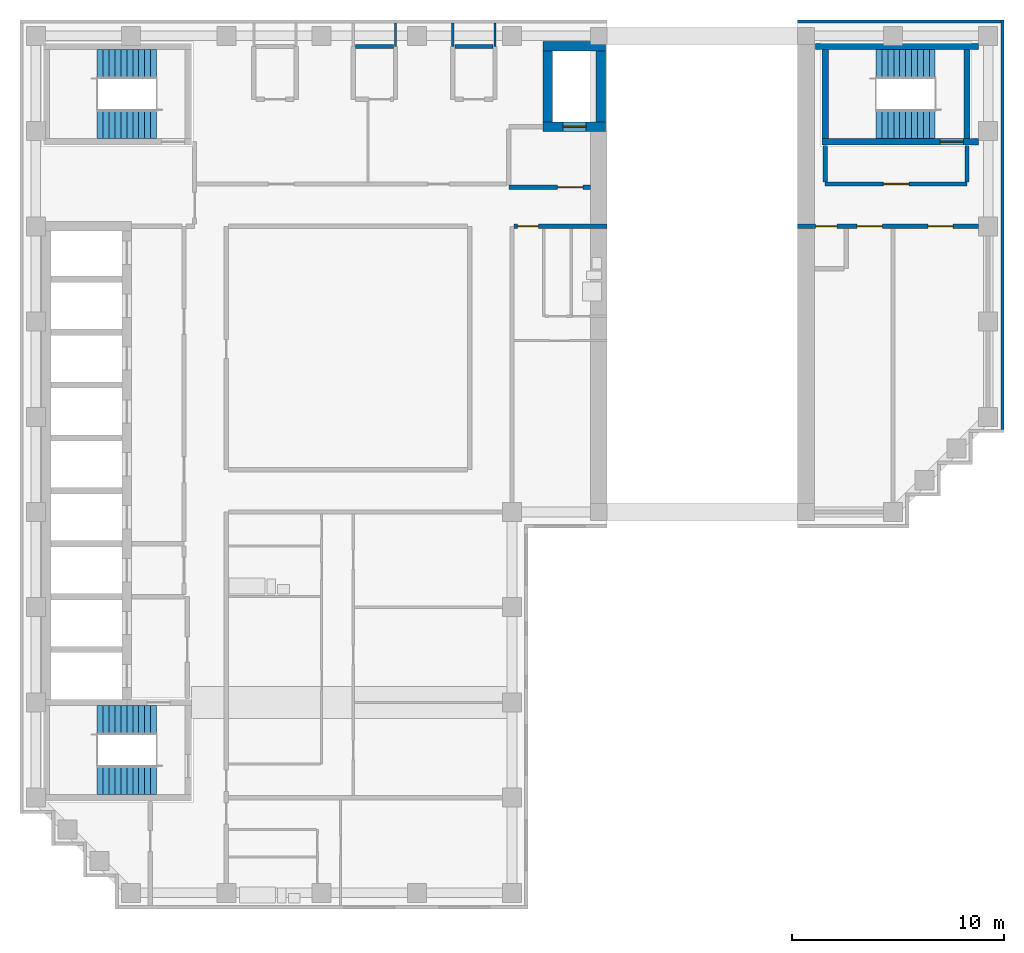
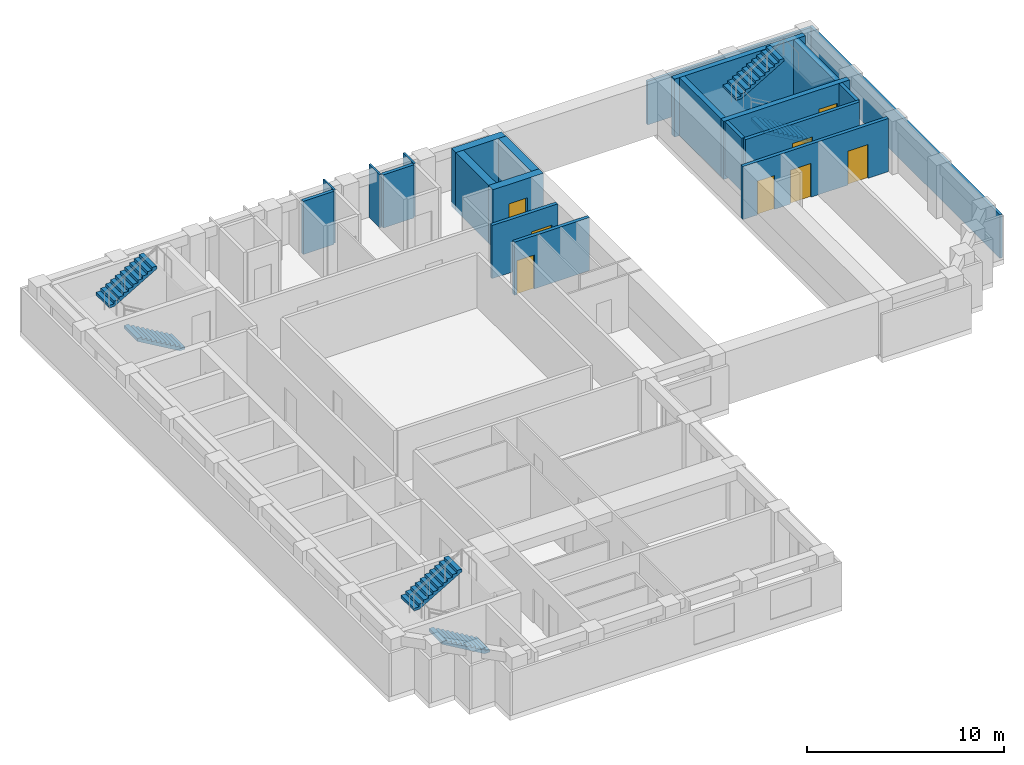
# One storey, part 5 of 7: 21 walls, 8 doors, 6 stair flights, 8 openings, 3 elements without a shape of their own.
"""IFC4 building model written with IfcOpenShell, lengths in metres."""

from ifc_helpers import new_model, si_unit, direction, frame, frame_2d, origin, place, context, subcontext, project, spatial, polyline, rectangle, outline, extrude, material, layer, layer_set, type_object, element, fill, aggregate, save


model = new_model("IFC4")

# Units and contexts
model_context = context("Model", 3, precision=1e-05, world=origin(), true_north=direction((0.0, 1.0)))
body_context = subcontext(model_context, "Body", "Model", "MODEL_VIEW")
ifc_project = project(units=[si_unit("LENGTHUNIT", "METRE"), si_unit("AREAUNIT", "SQUARE_METRE"), si_unit("VOLUMEUNIT", "CUBIC_METRE"), si_unit("PLANEANGLEUNIT", "RADIAN"), si_unit("MASSUNIT", "GRAM", prefix="KILO")], contexts=[model_context])

# Site, building, storey
site_placement = place(None, origin())
site = spatial("IfcSite", under=ifc_project, at=site_placement, CompositionType="ELEMENT")
building_placement = place(site_placement, origin())
building = spatial("IfcBuilding", under=site, at=building_placement, Name="Firuza Court", CompositionType="ELEMENT")
storey_placement = place(building_placement, frame((0.0, 0.0, 247.39990234375)))
storey = spatial("IfcBuildingStorey", under=building, at=storey_placement, Name="L64", CompositionType="ELEMENT", Elevation=247.39990234375)

# Wall
ifc_material_1 = material(Name="Concrete C50/60", Category="concrete")
ifc_layer_1 = layer(ifc_material_1, 0.300048828125)
ifc_layer_set_1 = layer_set([ifc_layer_1], Name="Concrete C50/60")
wall_type_1 = type_object("IfcWallType", Name="Core wall 300 C50/60", PredefinedType="SHEAR", material=ifc_layer_set_1)
wall_1_placement = place(storey_placement, frame((36.85009765625, 58.0, -0.2998046875), z_axis=(0.0, 0.0, 1.0), x_axis=(1.0, 0.0, 0.0)))
element("IfcWall", 1, at=wall_1_placement, inside=storey, type_object=wall_type_1, Name="Core wall stair L64", PredefinedType="SHEAR", context=body_context, shape_type="SweptSolid", body=[
    extrude(rectangle(XDim=7.699951171875, YDim=0.300048828125, at=frame_2d((3.85009765625, 0.0))), origin(), (0.0, 0.0, 1.0), 3.599853515625),
])

# Wall, opening, door
wall_2_placement = place(storey_placement, frame((37.14990234375, 53.5, -0.2998046875), z_axis=(0.0, 0.0, 1.0), x_axis=(1.0, 0.0, 0.0)))
wall_2 = element("IfcWall", 2, at=wall_2_placement, inside=storey, type_object=wall_type_1, Name="Core wall stair L64", PredefinedType="SHEAR", context=body_context, shape_type="SweptSolid", body=[
    extrude(rectangle(XDim=7.400146484375, YDim=0.300048828125, at=frame_2d((3.7001953125, 0.0))), origin(), (0.0, 0.0, 1.0), 3.599853515625),
])
opening_1_placement = place(wall_2_placement, frame((5.580078125, 0.0, 0.300048828125)))
opening_1 = element("IfcOpeningElement", 3, at=opening_1_placement, cuts=wall_2, Name="Opening D64008", PredefinedType="OPENING", context=body_context, shape_type="SweptSolid", body=[
    extrude(rectangle(XDim=1.10009765625, YDim=2.10009765625, at=frame_2d((0.550048828125, 1.050048828125))), frame((0.0, 0.162109375, 0.0), z_axis=(0.0, -1.0, 0.0), x_axis=(1.0, 0.0, 0.0)), (0.0, 0.0, 1.0), 0.323974609375),
])
ifc_material_2 = material(Name="Timber door leaf in hardwood frame", Category="wood")
door_type_1 = type_object("IfcDoorType", Name="Stair door 1100", OperationType="SINGLE_SWING_LEFT", PredefinedType="DOOR", material=ifc_material_2)
door_1_placement = place(opening_1_placement, origin())
door_1 = element("IfcDoor", 4, at=door_1_placement, inside=storey, type_object=door_type_1, Name="Stair door S1", OperationType="SINGLE_SWING_RIGHT", OverallHeight=2.10009765625, OverallWidth=1.10009765625, PredefinedType="DOOR", context=body_context, shape_type="SweptSolid", body=[
    extrude(rectangle(XDim=1.10009765625, YDim=2.10009765625, at=frame_2d((0.550048828125, 1.050048828125))), frame((0.0, 0.02490234375, 0.0), z_axis=(0.0, -1.0, 0.0), x_axis=(1.0, 0.0, 0.0)), (0.0, 0.0, 1.0), 0.050048828125),
])
fill(opening_1, door_1)

# Walls
for number, where, z_axis, x_axis, name in (
    (5, (37.300048828125, 53.64990234375, -0.2998046875), (0.0, 0.0, 1.0), (0.0, 1.0, 0.0), "Core wall stair L64"),
    (6, (44.0, 53.64990234375, -0.2998046875), (0.0, 0.0, 1.0), (0.0, 1.0, 0.0), "Core wall stair L64"),
):
    element("IfcWall", number, at=place(storey_placement, frame(where, z_axis=z_axis, x_axis=x_axis)), inside=storey, type_object=wall_type_1, Name=name, PredefinedType="SHEAR", context=body_context, shape_type="SweptSolid", body=[
        extrude(rectangle(XDim=4.2001953125, YDim=0.300048828125, at=frame_2d((2.10009765625, 0.0))), origin(), (0.0, 0.0, 1.0), 3.599853515625),
    ])

# Wall, opening, door
ifc_layer_2 = layer(ifc_material_1, 0.449951171875)
ifc_layer_set_2 = layer_set([ifc_layer_2], Name="Concrete C50/60")
wall_type_2 = type_object("IfcWallType", Name="Core wall 450 C50/60", PredefinedType="SHEAR", material=ifc_layer_set_2)
wall_3_placement = place(storey_placement, frame((23.97509765625, 54.199951171875, -0.2998046875), z_axis=(0.0, 0.0, 1.0), x_axis=(1.0, 0.0, 0.0)))
wall_3 = element("IfcWall", 7, at=wall_3_placement, inside=storey, type_object=wall_type_2, Name="Core wall lift shaft L64", PredefinedType="SHEAR", context=body_context, shape_type="SweptSolid", body=[
    extrude(rectangle(XDim=2.949951171875, YDim=0.449951171875, at=frame_2d((1.47509765625, 0.0))), origin(), (0.0, 0.0, 1.0), 3.599853515625),
])
opening_2_placement = place(wall_3_placement, frame((0.925048828125, 0.0, 0.300048828125)))
opening_2 = element("IfcOpeningElement", 8, at=opening_2_placement, cuts=wall_3, Name="Opening LD-FL3-64", PredefinedType="OPENING", context=body_context, shape_type="SweptSolid", body=[
    extrude(rectangle(XDim=1.10009765625, YDim=2.10009765625, at=frame_2d((0.550048828125, 1.050048828125))), frame((0.0, 0.23681640625, 0.0), z_axis=(0.0, -1.0, 0.0), x_axis=(1.0, 0.0, 0.0)), (0.0, 0.0, 1.0), 0.473876953125),
])
ifc_material_3 = material(Name="Stainless steel 1.4301 door leaf", Category="steel")
door_type_2 = type_object("IfcDoorType", Name="Lift landing door 1100", OperationType="SLIDING_TO_LEFT", PredefinedType="DOOR", material=ifc_material_3)
door_2_placement = place(opening_2_placement, origin())
door_2 = element("IfcDoor", 9, at=door_2_placement, inside=storey, type_object=door_type_2, Name="Landing door FL3", OperationType="SLIDING_TO_LEFT", OverallHeight=2.10009765625, OverallWidth=1.10009765625, PredefinedType="DOOR", context=body_context, shape_type="SweptSolid", body=[
    extrude(rectangle(XDim=1.10009765625, YDim=2.10009765625, at=frame_2d((0.550048828125, 1.050048828125))), frame((0.0, 0.02490234375, 0.0), z_axis=(0.0, -1.0, 0.0), x_axis=(1.0, 0.0, 0.0)), (0.0, 0.0, 1.0), 0.050048828125),
])
fill(opening_2, door_2)

# Walls
wall_4_placement = place(storey_placement, frame((23.97509765625, 58.0, -0.2998046875), z_axis=(0.0, 0.0, 1.0), x_axis=(1.0, 0.0, 0.0)))
element("IfcWall", 10, at=wall_4_placement, inside=storey, type_object=wall_type_2, Name="Core wall lift shaft L64", PredefinedType="SHEAR", context=body_context, shape_type="SweptSolid", body=[
    extrude(rectangle(XDim=2.949951171875, YDim=0.449951171875, at=frame_2d((1.47509765625, 0.0))), origin(), (0.0, 0.0, 1.0), 3.599853515625),
])
for number, where, z_axis, x_axis, name in (
    (11, (24.199951171875, 54.425048828125, -0.2998046875), (0.0, 0.0, 1.0), (0.0, 1.0, 0.0), "Core wall lift shaft L64"),
    (12, (26.699951171875, 54.425048828125, -0.2998046875), (0.0, 0.0, 1.0), (0.0, 1.0, 0.0), "Core wall lift shaft L64"),
):
    element("IfcWall", number, at=place(storey_placement, frame(where, z_axis=z_axis, x_axis=x_axis)), inside=storey, type_object=wall_type_2, Name=name, PredefinedType="SHEAR", context=body_context, shape_type="SweptSolid", body=[
        extrude(rectangle(XDim=3.349853515625, YDim=0.449951171875, at=frame_2d((1.6748046875, 0.0))), origin(), (0.0, 0.0, 1.0), 3.599853515625),
    ])

# Wall, opening, door
ifc_material_4 = material(Name="Blockwork, plastered both sides", Category="masonry")
ifc_layer_3 = layer(ifc_material_4, 0.199951171875)
ifc_layer_set_3 = layer_set([ifc_layer_3], Name="Blockwork, plastered both sides")
wall_type_3 = type_object("IfcWallType", Name="Corridor wall 200", PredefinedType="PARTITIONING", material=ifc_layer_set_3)
wall_5_placement = place(storey_placement, frame((22.60009765625, 49.5, 0.0), z_axis=(0.0, 0.0, 1.0), x_axis=(1.0, 0.0, 0.0)))
wall_5 = element("IfcWall", 13, at=wall_5_placement, inside=storey, type_object=wall_type_3, Name="Corridor wall 200 L64", PredefinedType="PARTITIONING", context=body_context, shape_type="SweptSolid", body=[
    extrude(rectangle(XDim=4.39990234375, YDim=0.199951171875, at=frame_2d((2.199951171875, 0.0))), origin(), (0.0, 0.0, 1.0), 3.300048828125),
])
opening_3_placement = place(wall_5_placement, frame((0.14990234375, 0.0, 0.0)))
opening_3 = element("IfcOpeningElement", 14, at=opening_3_placement, cuts=wall_5, Name="Opening D64028", PredefinedType="OPENING", context=body_context, shape_type="SweptSolid", body=[
    extrude(rectangle(XDim=1.0, YDim=2.10009765625, at=frame_2d((0.5, 1.050048828125))), frame((0.0, 0.11181640625, 0.0), z_axis=(0.0, -1.0, 0.0), x_axis=(1.0, 0.0, 0.0)), (0.0, 0.0, 1.0), 0.223876953125),
])
ifc_material_5 = material(Name="Timber door leaf in hardwood frame", Category="wood")
door_type_3 = type_object("IfcDoorType", Name="Flat entrance door 1000", OperationType="SINGLE_SWING_LEFT", PredefinedType="DOOR", material=ifc_material_5)
door_3_placement = place(opening_3_placement, origin())
door_3 = element("IfcDoor", 15, at=door_3_placement, inside=storey, type_object=door_type_3, Name="Flat entrance door", OperationType="SINGLE_SWING_RIGHT", OverallHeight=2.10009765625, OverallWidth=1.0, PredefinedType="DOOR", context=body_context, shape_type="SweptSolid", body=[
    extrude(rectangle(XDim=1.0, YDim=2.10009765625, at=frame_2d((0.5, 1.050048828125))), frame((0.0, 0.02490234375, 0.0), z_axis=(0.0, -1.0, 0.0), x_axis=(1.0, 0.0, 0.0)), (0.0, 0.0, 1.0), 0.050048828125),
])
fill(opening_3, door_3)

# Wall, openings, doors
wall_6_placement = place(storey_placement, frame((36.0, 49.5, 0.0), z_axis=(0.0, 0.0, 1.0), x_axis=(1.0, 0.0, 0.0)))
wall_6 = element("IfcWall", 16, at=wall_6_placement, inside=storey, type_object=wall_type_3, Name="Corridor wall 200 L64", PredefinedType="PARTITIONING", context=body_context, shape_type="SweptSolid", body=[
    extrude(rectangle(XDim=8.550048828125, YDim=0.199951171875, at=frame_2d((4.27490234375, 0.0))), origin(), (0.0, 0.0, 1.0), 3.300048828125),
])
opening_4_placement = place(wall_6_placement, frame((2.800048828125, 0.0, 0.0)))
opening_4 = element("IfcOpeningElement", 17, at=opening_4_placement, cuts=wall_6, Name="Opening D64029", PredefinedType="OPENING", context=body_context, shape_type="SweptSolid", body=[
    extrude(rectangle(XDim=1.199951171875, YDim=2.10009765625, at=frame_2d((0.60009765625, 1.050048828125))), frame((0.0, 0.11181640625, 0.0), z_axis=(0.0, -1.0, 0.0), x_axis=(1.0, 0.0, 0.0)), (0.0, 0.0, 1.0), 0.223876953125),
])
opening_5_placement = place(wall_6_placement, frame((6.14990234375, 0.0, 0.0)))
opening_5 = element("IfcOpeningElement", 18, at=opening_5_placement, cuts=wall_6, Name="Opening D64030", PredefinedType="OPENING", context=body_context, shape_type="SweptSolid", body=[
    extrude(rectangle(XDim=1.199951171875, YDim=2.10009765625, at=frame_2d((0.60009765625, 1.050048828125))), frame((0.0, 0.11181640625, 0.0), z_axis=(0.0, -1.0, 0.0), x_axis=(1.0, 0.0, 0.0)), (0.0, 0.0, 1.0), 0.223876953125),
])
opening_6_placement = place(wall_6_placement, frame((0.85009765625, 0.0, 0.0)))
opening_6 = element("IfcOpeningElement", 19, at=opening_6_placement, cuts=wall_6, Name="Opening D64031", PredefinedType="OPENING", context=body_context, shape_type="SweptSolid", body=[
    extrude(rectangle(XDim=1.0, YDim=2.10009765625, at=frame_2d((0.5, 1.050048828125))), frame((0.0, 0.11181640625, 0.0), z_axis=(0.0, -1.0, 0.0), x_axis=(1.0, 0.0, 0.0)), (0.0, 0.0, 1.0), 0.223876953125),
])
ifc_material_6 = material(Name="Timber door leaf in hardwood frame", Category="wood")
door_type_4 = type_object("IfcDoorType", Name="Plant room door 1200", OperationType="SINGLE_SWING_LEFT", PredefinedType="DOOR", material=ifc_material_6)
door_4_placement = place(opening_4_placement, frame((1.199951171875, 0.0, 0.0), z_axis=(0.0, 0.0, 1.0), x_axis=(-1.0, 0.0, 0.0)))
door_4 = element("IfcDoor", 20, at=door_4_placement, inside=storey, type_object=door_type_4, Name="Plant door", OperationType="SINGLE_SWING_RIGHT", OverallHeight=2.10009765625, OverallWidth=1.199951171875, PredefinedType="DOOR", context=body_context, shape_type="SweptSolid", body=[
    extrude(rectangle(XDim=1.199951171875, YDim=2.10009765625, at=frame_2d((0.60009765625, 1.050048828125))), frame((0.0, 0.02490234375, 0.0), z_axis=(0.0, -1.0, 0.0), x_axis=(1.0, 0.0, 0.0)), (0.0, 0.0, 1.0), 0.050048828125),
])
fill(opening_4, door_4)
door_5_placement = place(opening_5_placement, frame((1.199951171875, 0.0, 0.0), z_axis=(0.0, 0.0, 1.0), x_axis=(-1.0, 0.0, 0.0)))
door_5 = element("IfcDoor", 21, at=door_5_placement, inside=storey, type_object=door_type_4, Name="Plant door", OperationType="SINGLE_SWING_LEFT", OverallHeight=2.10009765625, OverallWidth=1.199951171875, PredefinedType="DOOR", context=body_context, shape_type="SweptSolid", body=[
    extrude(rectangle(XDim=1.199951171875, YDim=2.10009765625, at=frame_2d((0.60009765625, 1.050048828125))), frame((0.0, 0.02490234375, 0.0), z_axis=(0.0, -1.0, 0.0), x_axis=(1.0, 0.0, 0.0)), (0.0, 0.0, 1.0), 0.050048828125),
])
fill(opening_5, door_5)
ifc_material_7 = material(Name="Timber door leaf in hardwood frame", Category="wood")
door_type_5 = type_object("IfcDoorType", Name="Riser door 1000", OperationType="SINGLE_SWING_LEFT", PredefinedType="DOOR", material=ifc_material_7)
door_6_placement = place(opening_6_placement, frame((1.0, 0.0, 0.0), z_axis=(0.0, 0.0, 1.0), x_axis=(-1.0, 0.0, 0.0)))
door_6 = element("IfcDoor", 22, at=door_6_placement, inside=storey, type_object=door_type_5, Name="Comms riser door", OperationType="SINGLE_SWING_RIGHT", OverallHeight=2.10009765625, OverallWidth=1.0, PredefinedType="DOOR", context=body_context, shape_type="SweptSolid", body=[
    extrude(rectangle(XDim=1.0, YDim=2.10009765625, at=frame_2d((0.5, 1.050048828125))), frame((0.0, 0.02490234375, 0.0), z_axis=(0.0, -1.0, 0.0), x_axis=(1.0, 0.0, 0.0)), (0.0, 0.0, 1.0), 0.050048828125),
])
fill(opening_6, door_6)

# Walls
ifc_material_8 = material(Name="Timber stud partition, plasterboard both sides", Category="wood")
ifc_layer_4 = layer(ifc_material_8, 0.10009765625)
ifc_layer_set_4 = layer_set([ifc_layer_4], Name="Timber stud partition, plasterboard both sides")
wall_type_4 = type_object("IfcWallType", Name="Partition wall 100", PredefinedType="PARTITIONING", material=ifc_layer_set_4)
for number, where, z_axis, x_axis, name in (
    (23, (17.0, 58.0, 0.0), (0.0, 0.0, 1.0), (0.0, 1.0, 0.0), "Partition wall 100 L64"),
    (24, (19.699951171875, 58.0, 0.0), (0.0, 0.0, 1.0), (0.0, 1.0, 0.0), "Partition wall 100 L64"),
    (25, (21.699951171875, 58.0, 0.0), (0.0, 0.0, 1.0), (0.0, 1.0, 0.0), "Partition wall 100 L64"),
):
    element("IfcWall", number, at=place(storey_placement, frame(where, z_axis=z_axis, x_axis=x_axis)), inside=storey, type_object=wall_type_4, Name=name, PredefinedType="PARTITIONING", context=body_context, shape_type="SweptSolid", body=[
        extrude(rectangle(XDim=1.10009765625, YDim=0.10009765625, at=frame_2d((0.550048828125, 0.0))), origin(), (0.0, 0.0, 1.0), 3.300048828125),
    ])
ifc_material_9 = material(Name="Blockwork, fire-rated", Category="masonry")
ifc_layer_5 = layer(ifc_material_9, 0.199951171875)
ifc_layer_set_5 = layer_set([ifc_layer_5], Name="Blockwork, fire-rated")
wall_type_5 = type_object("IfcWallType", Name="Plant room wall 200", PredefinedType="PARTITIONING", material=ifc_layer_set_5)
wall_7_placement = place(storey_placement, frame((15.10009765625, 58.0, 0.0), z_axis=(0.0, 0.0, 1.0), x_axis=(1.0, 0.0, 0.0)))
element("IfcWall", 26, at=wall_7_placement, inside=storey, type_object=wall_type_5, Name="Plant room wall 200 L64", PredefinedType="PARTITIONING", context=body_context, shape_type="SweptSolid", body=[
    extrude(rectangle(XDim=1.7998046875, YDim=0.199951171875, at=frame_2d((0.89990234375, 0.0))), origin(), (0.0, 0.0, 1.0), 3.300048828125),
])
wall_8_placement = place(storey_placement, frame((19.800048828125, 58.0, 0.0), z_axis=(0.0, 0.0, 1.0), x_axis=(1.0, 0.0, 0.0)))
element("IfcWall", 27, at=wall_8_placement, inside=storey, type_object=wall_type_5, Name="Plant room wall 200 L64", PredefinedType="PARTITIONING", context=body_context, shape_type="SweptSolid", body=[
    extrude(rectangle(XDim=1.800048828125, YDim=0.199951171875, at=frame_2d((0.89990234375, 0.0))), origin(), (0.0, 0.0, 1.0), 3.300048828125),
])
ifc_material_10 = material(Name="Ceramic tile", Category="ceramic")
ifc_layer_6 = layer(ifc_material_10, 0.02001953125)
ifc_material_11 = material(Name="Mineral wool insulation", Category="insulation")
ifc_layer_7 = layer(ifc_material_11, 0.050048828125)
ifc_material_12 = material(Name="Concrete C40/50 precast", Category="concrete")
ifc_layer_8 = layer(ifc_material_12, 0.080078125)
ifc_layer_set_6 = layer_set([ifc_layer_6, ifc_layer_7, ifc_layer_8], Name="Concrete C40/50 precast")
wall_type_6 = type_object("IfcWallType", Name="Precast cladding wall with turquoise TILE PANEL face 150", PredefinedType="STANDARD", material=ifc_layer_set_6)
wall_9_placement = place(storey_placement, frame((45.675048828125, 39.89990234375, 0.0), z_axis=(0.0, 0.0, 1.0), x_axis=(0.0, 1.0, 0.0)))
element("IfcWall", 28, at=wall_9_placement, inside=storey, type_object=wall_type_6, Name="Facade wall L64 E", PredefinedType="STANDARD", context=body_context, shape_type="SweptSolid", body=[
    extrude(rectangle(XDim=19.35009765625, YDim=0.14990234375, at=frame_2d((9.675048828125, 0.0))), origin(), (0.0, 0.0, 1.0), 2.7001953125),
])
wall_10_placement = place(storey_placement, frame((45.60009765625, 59.175048828125, 0.0), z_axis=(0.0, 0.0, 1.0), x_axis=(-1.0, 0.0, 0.0)))
element("IfcWall", 29, at=wall_10_placement, inside=storey, type_object=wall_type_6, Name="Facade wall L64 N", PredefinedType="STANDARD", context=body_context, shape_type="SweptSolid", body=[
    extrude(rectangle(XDim=9.60009765625, YDim=0.14990234375, at=frame_2d((4.800048828125, 0.0))), origin(), (0.0, 0.0, 1.0), 2.7001953125),
])

# Wall, opening, door
ifc_layer_9 = layer(ifc_material_9, 0.199951171875)
ifc_layer_set_7 = layer_set([ifc_layer_9], Name="Blockwork, fire-rated")
wall_type_7 = type_object("IfcWallType", Name="Shaft wall 200", PredefinedType="PARTITIONING", material=ifc_layer_set_7)
wall_11_placement = place(storey_placement, frame((22.35009765625, 51.35009765625, 0.0), z_axis=(0.0, 0.0, 1.0), x_axis=(1.0, 0.0, 0.0)))
wall_11 = element("IfcWall", 30, at=wall_11_placement, inside=storey, type_object=wall_type_7, Name="Shaft wall 200 L64", PredefinedType="PARTITIONING", context=body_context, shape_type="SweptSolid", body=[
    extrude(rectangle(XDim=3.849853515625, YDim=0.199951171875, at=frame_2d((1.9248046875, 0.0))), origin(), (0.0, 0.0, 1.0), 3.300048828125),
])
opening_7_placement = place(wall_11_placement, frame((2.300048828125, 0.0, 0.0)))
opening_7 = element("IfcOpeningElement", 31, at=opening_7_placement, cuts=wall_11, Name="Opening D64003", PredefinedType="OPENING", context=body_context, shape_type="SweptSolid", body=[
    extrude(rectangle(XDim=1.199951171875, YDim=2.10009765625, at=frame_2d((0.60009765625, 1.050048828125))), frame((0.0, 0.11181640625, 0.0), z_axis=(0.0, -1.0, 0.0), x_axis=(1.0, 0.0, 0.0)), (0.0, 0.0, 1.0), 0.223876953125),
])
ifc_material_13 = material(Name="Timber door leaf in hardwood frame", Category="wood")
door_type_6 = type_object("IfcDoorType", Name="Lobby door 1200", OperationType="SINGLE_SWING_LEFT", PredefinedType="DOOR", material=ifc_material_13)
door_7_placement = place(opening_7_placement, origin())
door_7 = element("IfcDoor", 32, at=door_7_placement, inside=storey, type_object=door_type_6, Name="Fire-fighting lobby door", OperationType="SINGLE_SWING_RIGHT", OverallHeight=2.10009765625, OverallWidth=1.199951171875, PredefinedType="DOOR", context=body_context, shape_type="SweptSolid", body=[
    extrude(rectangle(XDim=1.199951171875, YDim=2.10009765625, at=frame_2d((0.60009765625, 1.050048828125))), frame((0.0, 0.02490234375, 0.0), z_axis=(0.0, -1.0, 0.0), x_axis=(1.0, 0.0, 0.0)), (0.0, 0.0, 1.0), 0.050048828125),
])
fill(opening_7, door_7)

wall_12_placement = place(storey_placement, frame((37.300048828125, 51.5, 0.0), z_axis=(0.0, 0.0, 1.0), x_axis=(1.0, 0.0, 0.0)))
wall_12 = element("IfcWall", 33, at=wall_12_placement, inside=storey, type_object=wall_type_7, Name="Shaft wall 200 L64", PredefinedType="PARTITIONING", context=body_context, shape_type="SweptSolid", body=[
    extrude(rectangle(XDim=6.699951171875, YDim=0.199951171875, at=frame_2d((3.35009765625, 0.0))), origin(), (0.0, 0.0, 1.0), 3.300048828125),
])
opening_8_placement = place(wall_12_placement, frame((2.75, 0.0, 0.0)))
opening_8 = element("IfcOpeningElement", 34, at=opening_8_placement, cuts=wall_12, Name="Opening D64006", PredefinedType="OPENING", context=body_context, shape_type="SweptSolid", body=[
    extrude(rectangle(XDim=1.199951171875, YDim=2.10009765625, at=frame_2d((0.60009765625, 1.050048828125))), frame((0.0, 0.11181640625, 0.0), z_axis=(0.0, -1.0, 0.0), x_axis=(1.0, 0.0, 0.0)), (0.0, 0.0, 1.0), 0.223876953125),
])
door_8_placement = place(opening_8_placement, origin())
door_8 = element("IfcDoor", 35, at=door_8_placement, inside=storey, type_object=door_type_6, Name="Lobby door", OperationType="SINGLE_SWING_LEFT", OverallHeight=2.10009765625, OverallWidth=1.199951171875, PredefinedType="DOOR", context=body_context, shape_type="SweptSolid", body=[
    extrude(rectangle(XDim=1.199951171875, YDim=2.10009765625, at=frame_2d((0.60009765625, 1.050048828125))), frame((0.0, 0.02490234375, 0.0), z_axis=(0.0, -1.0, 0.0), x_axis=(1.0, 0.0, 0.0)), (0.0, 0.0, 1.0), 0.050048828125),
])
fill(opening_8, door_8)

# Walls
for number, where, z_axis, x_axis, name in (
    (36, (44.0, 51.60009765625, 0.0), (0.0, 0.0, 1.0), (0.0, 1.0, 0.0), "Shaft wall 200 L64"),
    (37, (37.300048828125, 51.60009765625, 0.0), (0.0, 0.0, 1.0), (0.0, 1.0, 0.0), "Shaft wall 200 L64"),
):
    element("IfcWall", number, at=place(storey_placement, frame(where, z_axis=z_axis, x_axis=x_axis)), inside=storey, type_object=wall_type_7, Name=name, PredefinedType="PARTITIONING", context=body_context, shape_type="SweptSolid", body=[
        extrude(rectangle(XDim=1.72998046875, YDim=0.199951171875, at=frame_2d((0.864990234375, 0.0))), origin(), (0.0, 0.0, 1.0), 3.300048828125),
    ])

# Stair, stair flights
ifc_material_14 = material(Name="Concrete C40/50 precast", Category="concrete")
stair_type = type_object("IfcStairType", Name="Stair 1350 x 3600 2 flights", PredefinedType="HALF_TURN_STAIR", material=ifc_material_14)
stair_1_placement = place(storey_placement, origin())
stair_1 = element("IfcStair", 38, at=stair_1_placement, inside=storey, type_object=stair_type, Name="Stair 1 L64", PredefinedType="HALF_TURN_STAIR")
ifc_material_15 = material(Name="Concrete C40/50 precast", Category="concrete")
stair_flight_type = type_object("IfcStairFlightType", Name="Flight 1350 riser 163.6", PredefinedType="STRAIGHT", material=ifc_material_15)
stair_flight_1_placement = place(storey_placement, frame((42.5, 54.324951171875, 0.0), z_axis=(0.0, 0.0, 1.0), x_axis=(-1.0, 0.0, 0.0)))
stair_flight_1 = element("IfcStairFlight", 39, at=stair_flight_1_placement, type_object=stair_flight_type, Name="S1 flight 1", NumberOfRisers=11, NumberOfTreads=10, PredefinedType="STRAIGHT", RiserHeight=0.163636364, TreadLength=0.28, context=body_context, shape_type="SweptSolid", body=[
    extrude(outline(polyline([(0.0, 0.0), (0.0, 0.16357421875), (0.280029296875, 0.16357421875), (0.280029296875, 0.327392578125), (0.56005859375, 0.327392578125), (0.56005859375, 0.490966796875), (0.840087890625, 0.490966796875), (0.840087890625, 0.654541015625), (1.1201171875, 0.654541015625), (1.1201171875, 0.818115234375), (1.39990234375, 0.818115234375), (1.39990234375, 0.98193359375), (1.679931640625, 0.98193359375), (1.679931640625, 1.1455078125), (1.9599609375, 1.1455078125), (1.9599609375, 1.30908203125), (2.239990234375, 1.30908203125), (2.239990234375, 1.47265625), (2.52001953125, 1.47265625), (2.52001953125, 1.636474609375), (2.800048828125, 1.636474609375), (2.800048828125, 1.800048828125), (2.800048828125, 1.462646484375), (0.297119140625, 0.0), (0.0, 0.0)])), frame((0.0, 0.675048828125, 0.0), z_axis=(0.0, -1.0, 0.0), x_axis=(1.0, 0.0, 0.0)), (0.0, 0.0, 1.0), 1.35009765625),
])
stair_flight_2_placement = place(storey_placement, frame((39.699951171875, 57.175048828125, 1.800048828125), z_axis=(0.0, 0.0, 1.0), x_axis=(1.0, 0.0, 0.0)))
stair_flight_2 = element("IfcStairFlight", 40, at=stair_flight_2_placement, type_object=stair_flight_type, Name="S1 flight 2", NumberOfRisers=11, NumberOfTreads=10, PredefinedType="STRAIGHT", RiserHeight=0.163636364, TreadLength=0.28, context=body_context, shape_type="SweptSolid", body=[
    extrude(outline(polyline([(0.0, 0.0), (0.0, 0.16357421875), (0.280029296875, 0.16357421875), (0.280029296875, 0.327392578125), (0.56005859375, 0.327392578125), (0.56005859375, 0.490966796875), (0.840087890625, 0.490966796875), (0.840087890625, 0.654541015625), (1.1201171875, 0.654541015625), (1.1201171875, 0.818115234375), (1.39990234375, 0.818115234375), (1.39990234375, 0.98193359375), (1.679931640625, 0.98193359375), (1.679931640625, 1.1455078125), (1.9599609375, 1.1455078125), (1.9599609375, 1.30908203125), (2.239990234375, 1.30908203125), (2.239990234375, 1.47265625), (2.52001953125, 1.47265625), (2.52001953125, 1.636474609375), (2.800048828125, 1.636474609375), (2.800048828125, 1.800048828125), (2.800048828125, 1.462646484375), (0.297119140625, 0.0), (0.0, 0.0)])), frame((0.0, 0.675048828125, 0.0), z_axis=(0.0, -1.0, 0.0), x_axis=(1.0, 0.0, 0.0)), (0.0, 0.0, 1.0), 1.35009765625),
])
aggregate(stair_1, [stair_flight_1, stair_flight_2])

stair_2_placement = place(storey_placement, origin())
stair_2 = element("IfcStair", 41, at=stair_2_placement, inside=storey, type_object=stair_type, Name="Stair 2 L64", PredefinedType="HALF_TURN_STAIR")
stair_flight_3_placement = place(storey_placement, frame((5.699951171875, 23.324951171875, 0.0), z_axis=(0.0, 0.0, 1.0), x_axis=(-1.0, 0.0, 0.0)))
stair_flight_3 = element("IfcStairFlight", 42, at=stair_flight_3_placement, type_object=stair_flight_type, Name="S2 flight 1", NumberOfRisers=11, NumberOfTreads=10, PredefinedType="STRAIGHT", RiserHeight=0.163636364, TreadLength=0.28, context=body_context, shape_type="SweptSolid", body=[
    extrude(outline(polyline([(0.0, 0.0), (0.0, 0.16357421875), (0.280029296875, 0.16357421875), (0.280029296875, 0.327392578125), (0.56005859375, 0.327392578125), (0.56005859375, 0.490966796875), (0.840087890625, 0.490966796875), (0.840087890625, 0.654541015625), (1.1201171875, 0.654541015625), (1.1201171875, 0.818115234375), (1.39990234375, 0.818115234375), (1.39990234375, 0.98193359375), (1.679931640625, 0.98193359375), (1.679931640625, 1.1455078125), (1.9599609375, 1.1455078125), (1.9599609375, 1.30908203125), (2.239990234375, 1.30908203125), (2.239990234375, 1.47265625), (2.52001953125, 1.47265625), (2.52001953125, 1.636474609375), (2.800048828125, 1.636474609375), (2.800048828125, 1.800048828125), (2.800048828125, 1.462646484375), (0.297119140625, 0.0), (0.0, 0.0)])), frame((0.0, 0.675048828125, 0.0), z_axis=(0.0, -1.0, 0.0), x_axis=(1.0, 0.0, 0.0)), (0.0, 0.0, 1.0), 1.35009765625),
])
stair_flight_4_placement = place(storey_placement, frame((2.89990234375, 26.175048828125, 1.800048828125), z_axis=(0.0, 0.0, 1.0), x_axis=(1.0, 0.0, 0.0)))
stair_flight_4 = element("IfcStairFlight", 43, at=stair_flight_4_placement, type_object=stair_flight_type, Name="S2 flight 2", NumberOfRisers=11, NumberOfTreads=10, PredefinedType="STRAIGHT", RiserHeight=0.163636364, TreadLength=0.28, context=body_context, shape_type="SweptSolid", body=[
    extrude(outline(polyline([(0.0, 0.0), (0.0, 0.16357421875), (0.280029296875, 0.16357421875), (0.280029296875, 0.327392578125), (0.56005859375, 0.327392578125), (0.56005859375, 0.490966796875), (0.840087890625, 0.490966796875), (0.840087890625, 0.654541015625), (1.1201171875, 0.654541015625), (1.1201171875, 0.818115234375), (1.39990234375, 0.818115234375), (1.39990234375, 0.98193359375), (1.679931640625, 0.98193359375), (1.679931640625, 1.1455078125), (1.9599609375, 1.1455078125), (1.9599609375, 1.30908203125), (2.239990234375, 1.30908203125), (2.239990234375, 1.47265625), (2.52001953125, 1.47265625), (2.52001953125, 1.636474609375), (2.800048828125, 1.636474609375), (2.800048828125, 1.800048828125), (2.800048828125, 1.462646484375), (0.297119140625, 0.0), (0.0, 0.0)])), frame((0.0, 0.675048828125, 0.0), z_axis=(0.0, -1.0, 0.0), x_axis=(1.0, 0.0, 0.0)), (0.0, 0.0, 1.0), 1.35009765625),
])
aggregate(stair_2, [stair_flight_3, stair_flight_4])

stair_3_placement = place(storey_placement, origin())
stair_3 = element("IfcStair", 44, at=stair_3_placement, inside=storey, type_object=stair_type, Name="Stair 3 L64", PredefinedType="HALF_TURN_STAIR")
stair_flight_5_placement = place(storey_placement, frame((5.699951171875, 54.324951171875, 0.0), z_axis=(0.0, 0.0, 1.0), x_axis=(-1.0, 0.0, 0.0)))
stair_flight_5 = element("IfcStairFlight", 45, at=stair_flight_5_placement, type_object=stair_flight_type, Name="S3 flight 1", NumberOfRisers=11, NumberOfTreads=10, PredefinedType="STRAIGHT", RiserHeight=0.163636364, TreadLength=0.28, context=body_context, shape_type="SweptSolid", body=[
    extrude(outline(polyline([(0.0, 0.0), (0.0, 0.16357421875), (0.280029296875, 0.16357421875), (0.280029296875, 0.327392578125), (0.56005859375, 0.327392578125), (0.56005859375, 0.490966796875), (0.840087890625, 0.490966796875), (0.840087890625, 0.654541015625), (1.1201171875, 0.654541015625), (1.1201171875, 0.818115234375), (1.39990234375, 0.818115234375), (1.39990234375, 0.98193359375), (1.679931640625, 0.98193359375), (1.679931640625, 1.1455078125), (1.9599609375, 1.1455078125), (1.9599609375, 1.30908203125), (2.239990234375, 1.30908203125), (2.239990234375, 1.47265625), (2.52001953125, 1.47265625), (2.52001953125, 1.636474609375), (2.800048828125, 1.636474609375), (2.800048828125, 1.800048828125), (2.800048828125, 1.462646484375), (0.297119140625, 0.0), (0.0, 0.0)])), frame((0.0, 0.675048828125, 0.0), z_axis=(0.0, -1.0, 0.0), x_axis=(1.0, 0.0, 0.0)), (0.0, 0.0, 1.0), 1.35009765625),
])
stair_flight_6_placement = place(storey_placement, frame((2.89990234375, 57.175048828125, 1.800048828125), z_axis=(0.0, 0.0, 1.0), x_axis=(1.0, 0.0, 0.0)))
stair_flight_6 = element("IfcStairFlight", 46, at=stair_flight_6_placement, type_object=stair_flight_type, Name="S3 flight 2", NumberOfRisers=11, NumberOfTreads=10, PredefinedType="STRAIGHT", RiserHeight=0.163636364, TreadLength=0.28, context=body_context, shape_type="SweptSolid", body=[
    extrude(outline(polyline([(0.0, 0.0), (0.0, 0.16357421875), (0.280029296875, 0.16357421875), (0.280029296875, 0.327392578125), (0.56005859375, 0.327392578125), (0.56005859375, 0.490966796875), (0.840087890625, 0.490966796875), (0.840087890625, 0.654541015625), (1.1201171875, 0.654541015625), (1.1201171875, 0.818115234375), (1.39990234375, 0.818115234375), (1.39990234375, 0.98193359375), (1.679931640625, 0.98193359375), (1.679931640625, 1.1455078125), (1.9599609375, 1.1455078125), (1.9599609375, 1.30908203125), (2.239990234375, 1.30908203125), (2.239990234375, 1.47265625), (2.52001953125, 1.47265625), (2.52001953125, 1.636474609375), (2.800048828125, 1.636474609375), (2.800048828125, 1.800048828125), (2.800048828125, 1.462646484375), (0.297119140625, 0.0), (0.0, 0.0)])), frame((0.0, 0.675048828125, 0.0), z_axis=(0.0, -1.0, 0.0), x_axis=(1.0, 0.0, 0.0)), (0.0, 0.0, 1.0), 1.35009765625),
])
aggregate(stair_3, [stair_flight_5, stair_flight_6])

save(model, "model.ifc")
